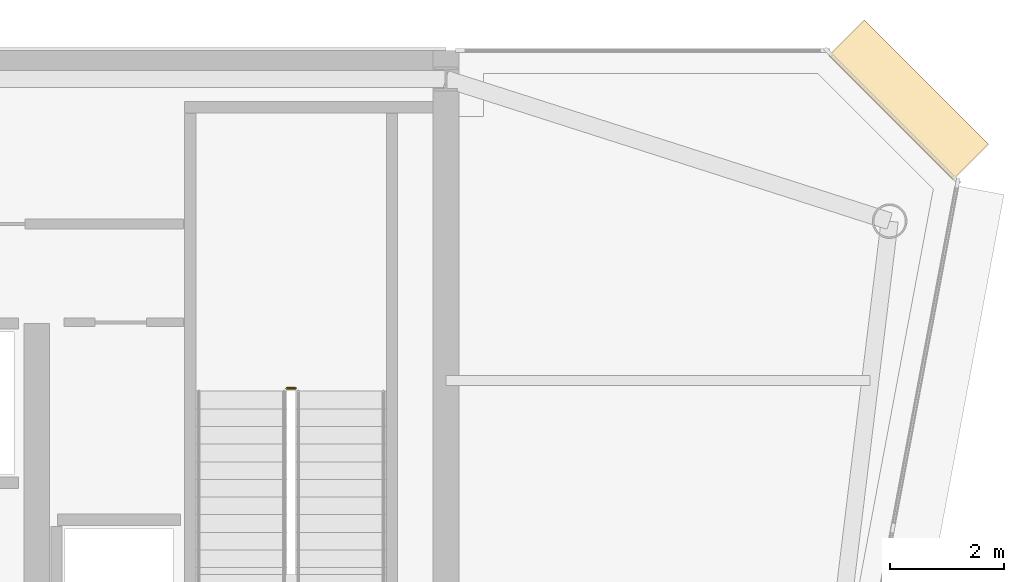
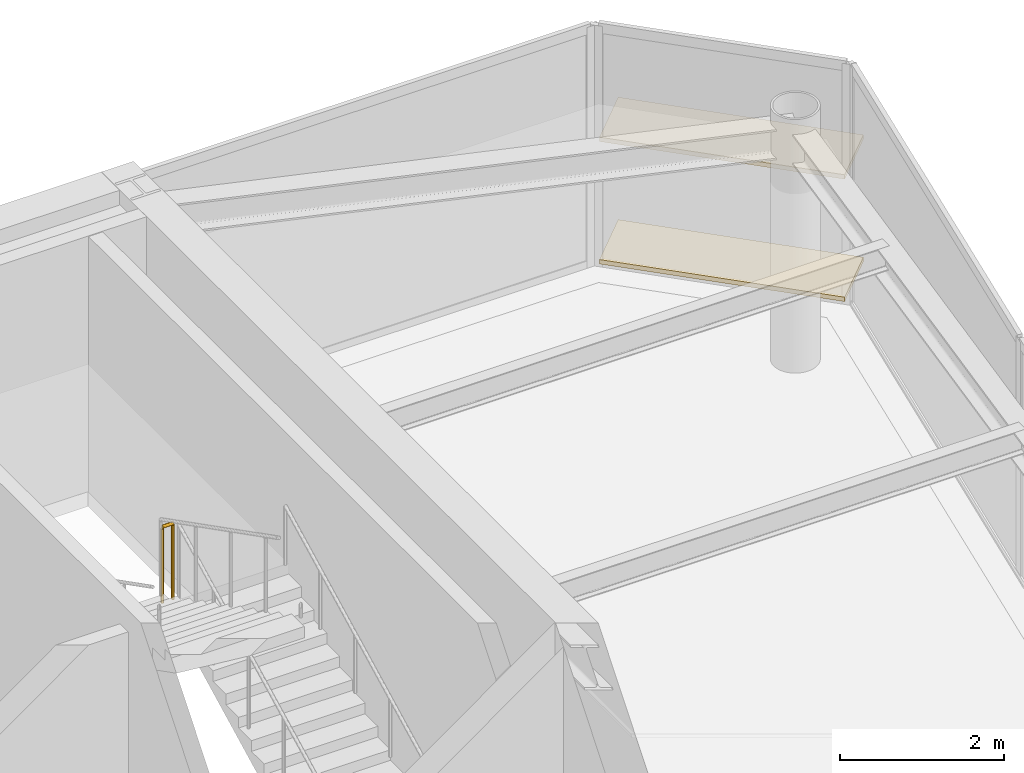
# One storey, part 20 of 20: 2 coverings, 1 railing.
"""IFC4 building model written with IfcOpenShell, lengths in metres."""

from ifc_helpers import new_model, si_unit, direction, frame, origin, origin_2d, place, context, subcontext, project, spatial, rectangle, circle, extrude, source, transform, mapped, material, layer, layer_set, type_object, element, save


model = new_model("IFC4")

# Units and contexts
model_context = context("Model", 3, precision=1e-05, world=origin(), true_north=direction((0.0, 1.0)))
body_context = subcontext(model_context, "Body", "Model", "MODEL_VIEW")
ifc_project = project(units=[si_unit("LENGTHUNIT", "METRE"), si_unit("AREAUNIT", "SQUARE_METRE"), si_unit("VOLUMEUNIT", "CUBIC_METRE"), si_unit("PLANEANGLEUNIT", "RADIAN"), si_unit("MASSUNIT", "GRAM", prefix="KILO")], contexts=[model_context])

# Site, building, storey
site_placement = place(None, origin())
site = spatial("IfcSite", under=ifc_project, at=site_placement, CompositionType="ELEMENT")
building_placement = place(site_placement, origin())
building = spatial("IfcBuilding", under=site, at=building_placement, Name="Vaeldorn Concourse Tower", CompositionType="ELEMENT")
storey_placement = place(building_placement, frame((0.0, 0.0, 291.60009765625)))
storey = spatial("IfcBuildingStorey", under=building, at=storey_placement, Name="L75", CompositionType="ELEMENT", Elevation=291.60009765625)

# Railing
ifc_material = material(Name="Anodised Bronze Aluminium", Category="aluminium")
railing_type = type_object("IfcRailingType", Name="RL-STAIR-GUARD", PredefinedType="GUARDRAIL", material=ifc_material)
railing_placement = place(storey_placement, frame((51.35009765625, 45.06005859375, 1.89990234375)))
element("IfcRailing", 1, at=railing_placement, inside=storey, type_object=railing_type, Name="L75 ST-2 stair guard 2", PredefinedType="GUARDRAIL", context=body_context, shape_type="SweptSolid", body=[
    extrude(circle(Radius=0.02392578125, at=origin_2d()), frame((0.0, 0.0, 1.1259765625), z_axis=(-1.0, 0.0, 0.0), x_axis=(0.0, -1.0, 0.0)), (0.0, 0.0, 1.0), 0.150146484375),
    extrude(circle(Radius=0.02099609375, at=origin_2d()), origin(), (0.0, 0.0, 1.0), 1.101806640625),
    extrude(circle(Radius=0.02099609375, at=origin_2d()), frame((-0.150146484375, 0.0, 0.0)), (0.0, 0.0, 1.0), 1.101806640625),
])

# Coverings
ifc_layer = layer(ifc_material, 0.06494140625)
ifc_layer_set = layer_set([ifc_layer], Name="Anodised Bronze Aluminium")
covering_type = type_object("IfcCoveringType", Name="SD-BRONZE-SUNSHADE", PredefinedType="USERDEFINED", material=ifc_layer_set)
shared_shape = source(origin(), body_context, "Body", "SweptSolid", [
    extrude(rectangle(XDim=3.0927734375, YDim=0.8798828125, at=origin_2d()), origin(), (0.0, 0.0, 1.0), 0.06494140625),
])
for number, where, z_axis, x_axis, name in (
    (2, (62.1328125, 50.1328125, 0.04736328125), (0.0, 0.0, 1.0), (-0.707106781187, 0.707106781187, 0.0), "Horizontal Bronze Sunshade L75-E08.1.1"),
    (3, (62.1328125, 50.1328125, 1.867431640625), (0.0, 0.0, 1.0), (-0.707106781187, 0.707106781187, 0.0), "Horizontal Bronze Sunshade L75-E08.1.2"),
):
    element("IfcCovering", number, at=place(storey_placement, frame(where, z_axis=z_axis, x_axis=x_axis)), inside=storey, type_object=covering_type, Name=name, ObjectType="SUNSHADE", PredefinedType="USERDEFINED", context=body_context, shape_type="MappedRepresentation", body=[
        mapped(shared_shape, transform((0.0, 0.0, 0.0), scale=1.0)),
    ])

save(model, "model.ifc")
